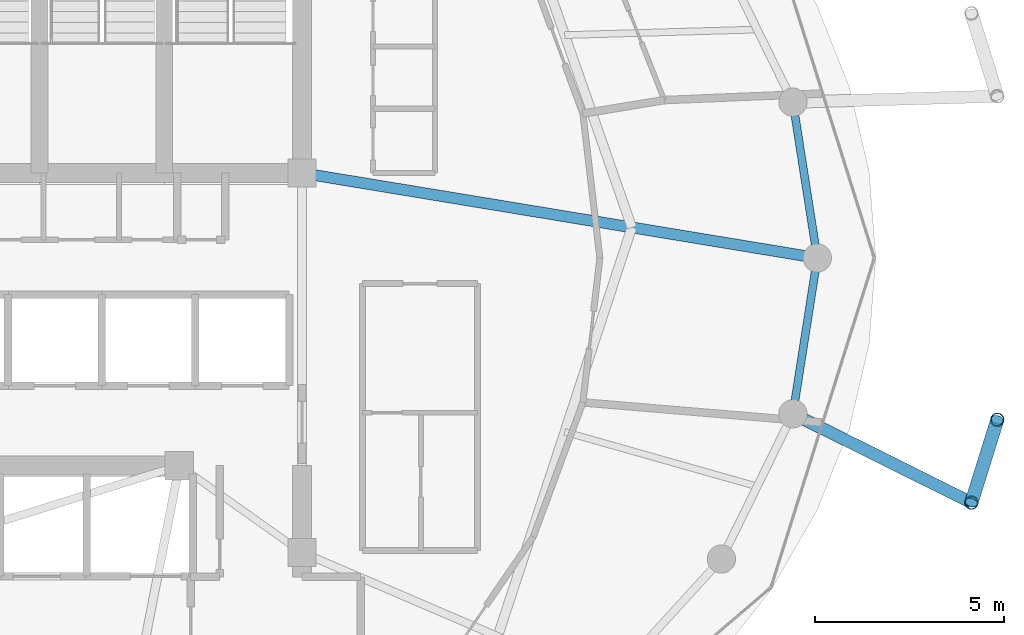
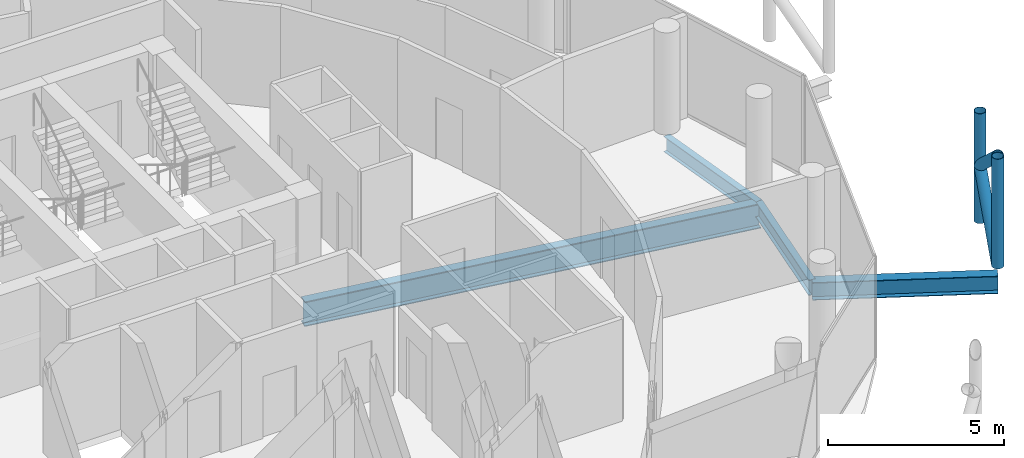
# One storey, part 11 of 24: 4 beams, 4 members.
"""IFC4 building model written with IfcOpenShell, lengths in metres."""

from ifc_helpers import new_model, si_unit, direction, frame, origin, origin_2d, place, context, subcontext, project, spatial, hollow_circle, i_section, extrude, material, material_profile, profile_set, type_object, element, save


model = new_model("IFC4")

# Units and contexts
model_context = context("Model", 3, precision=1e-05, world=origin(), true_north=direction((0.0, 1.0)))
body_context = subcontext(model_context, "Body", "Model", "MODEL_VIEW")
ifc_project = project(units=[si_unit("LENGTHUNIT", "METRE"), si_unit("AREAUNIT", "SQUARE_METRE"), si_unit("VOLUMEUNIT", "CUBIC_METRE"), si_unit("PLANEANGLEUNIT", "RADIAN"), si_unit("MASSUNIT", "GRAM", prefix="KILO")], contexts=[model_context])

# Site, building, storey
site_placement = place(None, origin())
site = spatial("IfcSite", under=ifc_project, at=site_placement, CompositionType="ELEMENT")
building_placement = place(site_placement, origin())
building = spatial("IfcBuilding", under=site, at=building_placement, Name="Nuhasar Tower", CompositionType="ELEMENT")
storey_placement = place(building_placement, frame((0.0, 0.0, 293.60009765625)))
storey = spatial("IfcBuildingStorey", under=building, at=storey_placement, Name="L73", CompositionType="ELEMENT", Elevation=293.60009765625)

# Beams
ifc_material_1 = material(Name="Steel S355", Category="steel")
ifc_material_profile_1 = material_profile(ifc_material_1, i_section(OverallWidth=0.2919921875, OverallDepth=0.85888671875, WebThickness=0.01708984375, FlangeThickness=0.031005859375, at=origin_2d()), Name="W33X169")
ifc_profile_set_1 = profile_set([ifc_material_profile_1], Name="Steel S355")
beam_type_1 = type_object("IfcBeamType", Name="BM-POD-W33X169", PredefinedType="BEAM", material=ifc_profile_set_1)
beam_1_placement = place(storey_placement, frame((44.300048828125, 29.050048828125, -0.690185546875), z_axis=(0.986685215874, -0.162641583786, 0.0), x_axis=(0.162641583786, 0.986685215874, 0.0)))
element("IfcBeam", 1, at=beam_1_placement, inside=storey, type_object=beam_type_1, Name="L73 Radial Floor Girder 04", PredefinedType="BEAM", context=body_context, shape_type="SweptSolid", body=[
    extrude(i_section(OverallWidth=0.2919921875, OverallDepth=0.85888671875, WebThickness=0.01708984375, FlangeThickness=0.031005859375, at=origin_2d()), origin(), (0.0, 0.0, 1.0), 13.833984375),
])
ifc_material_profile_2 = material_profile(ifc_material_1, i_section(OverallWidth=0.2099609375, OverallDepth=0.537109375, WebThickness=0.010986328125, FlangeThickness=0.017333984375, at=origin_2d()), Name="W21X68")
ifc_profile_set_2 = profile_set([ifc_material_profile_2], Name="Steel S355")
beam_type_2 = type_object("IfcBeamType", Name="BM-RING-W21X68", PredefinedType="SPANDREL", material=ifc_profile_set_2)
for number, where, z_axis, x_axis, name in (
    (2, (57.949951171875, 26.800048828125, -0.529052734375), (-0.154612165232, 0.987975241776, 0.0), (-0.987975241776, -0.154612165232, 0.0), "L73 Perimeter Ring Spandrel 01"),
    (3, (57.303955078125, 22.672119140625, -0.529052734375), (0.154612165232, 0.987975241776, 0.0), (-0.987975241776, 0.154612165232, 0.0), "L73 Perimeter Ring Spandrel 24"),
):
    element("IfcBeam", number, at=place(storey_placement, frame(where, z_axis=z_axis, x_axis=x_axis)), inside=storey, type_object=beam_type_2, Name=name, PredefinedType="SPANDREL", context=body_context, shape_type="SweptSolid", body=[
        extrude(i_section(OverallWidth=0.2099609375, OverallDepth=0.537109375, WebThickness=0.010986328125, FlangeThickness=0.017333984375, at=origin_2d()), origin(), (0.0, 0.0, 1.0), 4.17822265625),
    ])
ifc_material_profile_3 = material_profile(ifc_material_1, i_section(OverallWidth=0.323974609375, OverallDepth=0.611083984375, WebThickness=0.0126953125, FlangeThickness=0.01904296875, at=origin_2d()), Name="W24X104")
ifc_profile_set_3 = profile_set([ifc_material_profile_3], Name="Steel S355")
beam_type_3 = type_object("IfcBeamType", Name="BM-TIE-W24X104", PredefinedType="BEAM", material=ifc_profile_set_3)
beam_2_placement = place(storey_placement, frame((57.303955078125, 22.672119140625, -0.566162109375), z_axis=(0.895294451274, -0.445474853969, 0.0), x_axis=(0.445474853969, 0.895294451274, 0.0)))
element("IfcBeam", 4, at=beam_2_placement, inside=storey, type_object=beam_type_3, Name="L73 Exoskeleton Node Tie Beam 12", PredefinedType="BEAM", context=body_context, shape_type="SweptSolid", body=[
    extrude(i_section(OverallWidth=0.323974609375, OverallDepth=0.611083984375, WebThickness=0.0126953125, FlangeThickness=0.01904296875, at=origin_2d()), origin(), (0.0, 0.0, 1.0), 5.281982421875),
])

# Members
ifc_material_2 = material(Name="Steel S460", Category="steel")
ifc_material_profile_4 = material_profile(ifc_material_2, hollow_circle(Radius=0.177734375, WallThickness=0.015869140625, at=origin_2d()), Name="HSS355.6X15.9")
ifc_profile_set_4 = profile_set([ifc_material_profile_4], Name="Steel S460")
member_type = type_object("IfcMemberType", Name="EXO-BRONZE-356", PredefinedType="BRACE", material=ifc_profile_set_4)
for number, where, z_axis, x_axis, name in (
    (5, (62.032958984375, 20.319091796875, 0.0), (0.0, 0.0, 1.0), (1.0, 0.0, 0.0), "L73 Exoskeleton Chord Column EC-12A"),
    (6, (62.718017578125, 22.513916015625, 0.0), (0.0, 0.0, 1.0), (1.0, 0.0, 0.0), "L73 Exoskeleton Chord Column EC-12B"),
):
    element("IfcMember", number, at=place(storey_placement, frame(where, z_axis=z_axis, x_axis=x_axis)), inside=storey, type_object=member_type, Name=name, PredefinedType="BRACE", context=body_context, shape_type="SweptSolid", body=[
        extrude(hollow_circle(Radius=0.177734375, WallThickness=0.015869140625, at=origin_2d()), origin(), (0.0, 0.0, 1.0), 3.7998046875),
    ])
for number, where, z_axis, x_axis, name in (
    (7, (62.032958984375, 20.319091796875, 0.0), (0.229681361446, 0.735864376122, 0.636985158507), (-0.954581948223, 0.297948492404, 0.0), "L73 Bronze Diagrid Brace W1-12"),
    (8, (62.718017578125, 22.513916015625, 1.89990234375), (-0.229681361446, -0.735864376122, 0.636985158507), (0.954581948223, -0.297948492404, 0.0), "L73 Bronze Diagrid Brace W2-12"),
):
    element("IfcMember", number, at=place(storey_placement, frame(where, z_axis=z_axis, x_axis=x_axis)), inside=storey, type_object=member_type, Name=name, PredefinedType="BRACE", context=body_context, shape_type="SweptSolid", body=[
        extrude(hollow_circle(Radius=0.177734375, WallThickness=0.015869140625, at=origin_2d()), origin(), (0.0, 0.0, 1.0), 2.982666015625),
    ])

save(model, "model.ifc")
